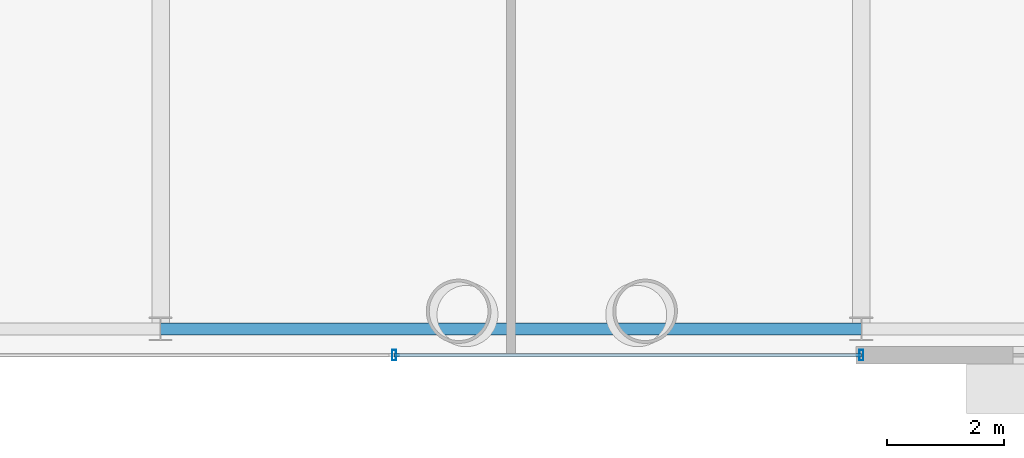
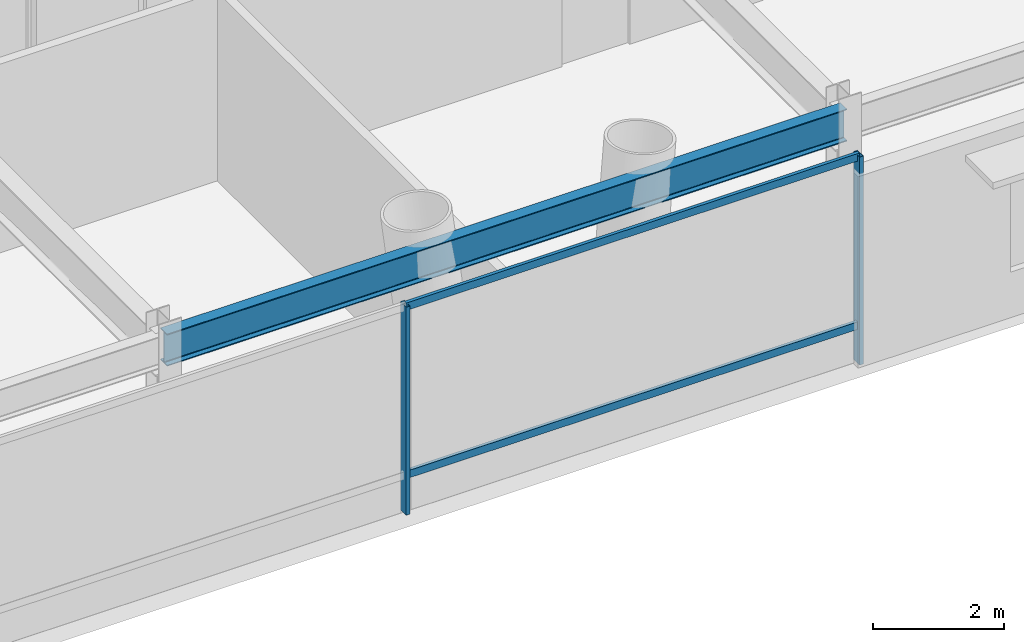
# One storey, part 8 of 26: 4 members, 1 beam, 1 element without a shape of its own.
"""IFC4 building model written with IfcOpenShell, lengths in metres."""

from ifc_helpers import new_model, si_unit, direction, frame, origin, origin_2d, place, context, subcontext, project, spatial, hollow_rectangle, i_section, extrude, material, layer, layer_set, material_profile, profile_set, type_object, element, aggregate, save


model = new_model("IFC4")

# Units and contexts
model_context = context("Model", 3, precision=1e-05, world=origin(), true_north=direction((0.0, 1.0)))
body_context = subcontext(model_context, "Body", "Model", "MODEL_VIEW")
ifc_project = project(units=[si_unit("LENGTHUNIT", "METRE"), si_unit("AREAUNIT", "SQUARE_METRE"), si_unit("VOLUMEUNIT", "CUBIC_METRE"), si_unit("PLANEANGLEUNIT", "RADIAN"), si_unit("MASSUNIT", "GRAM", prefix="KILO")], contexts=[model_context])

# Site, building, storey
site_placement = place(None, origin())
site = spatial("IfcSite", under=ifc_project, at=site_placement, CompositionType="ELEMENT")
building_placement = place(site_placement, origin())
building = spatial("IfcBuilding", under=site, at=building_placement, Name="Veldorina Hangang Commons", CompositionType="ELEMENT")
storey_placement = place(building_placement, frame((0.0, 0.0, 5.199951171875)))
storey = spatial("IfcBuildingStorey", under=building, at=storey_placement, Name="L01", CompositionType="ELEMENT", Elevation=5.199951171875)

# Beam
ifc_material_1 = material(Name="Steel SM420-TMC", Category="steel")
ifc_material_profile_1 = material_profile(ifc_material_1, i_section(OverallWidth=0.199951171875, OverallDepth=0.60009765625, WebThickness=0.010986328125, FlangeThickness=0.01708984375, FilletRadius=0.01806640625, at=origin_2d()), Name="H-600x200x11x17")
ifc_profile_set_1 = profile_set([ifc_material_profile_1], Name="Steel SM420-TMC")
beam_type = type_object("IfcBeamType", Name="BM-SPN600", PredefinedType="SPANDREL", material=ifc_profile_set_1)
beam_placement = place(storey_placement, frame((32.0, 3.449951171875, 4.199951171875), z_axis=(1.0, 0.0, 0.0), x_axis=(0.0, 1.0, 0.0)))
element("IfcBeam", 1, at=beam_placement, inside=storey, type_object=beam_type, Name="L01 south spandrel beam 3", PredefinedType="SPANDREL", context=body_context, shape_type="SweptSolid", body=[
    extrude(i_section(OverallWidth=0.199951171875, OverallDepth=0.60009765625, WebThickness=0.010986328125, FlangeThickness=0.01708984375, FilletRadius=0.01806640625, at=origin_2d()), origin(), (0.0, 0.0, 1.0), 12.0),
])

# Curtain wall, members
ifc_material_2 = material(Name="Glass Low-E Triple IGU", Category="glass")
ifc_layer = layer(ifc_material_2, 0.179931640625)
ifc_layer_set = layer_set([ifc_layer], Name="Glass Low-E Triple IGU")
curtain_wall_type = type_object("IfcCurtainWallType", Name="CW-SYS-POD", PredefinedType="NOTDEFINED", material=ifc_layer_set)
curtain_wall_placement = place(storey_placement, origin())
curtain_wall = element("IfcCurtainWall", 2, at=curtain_wall_placement, inside=storey, type_object=curtain_wall_type, Name="L01 unitised curtain wall CW-L01-S-CTR", PredefinedType="NOTDEFINED")
ifc_material_3 = material(Name="Aluminium Anodized AA6063-T6", Category="aluminium")
ifc_material_profile_2 = material_profile(ifc_material_3, hollow_rectangle(XDim=0.070068359375, YDim=0.179931640625, WallThickness=0.00390625, at=origin_2d()), Name="ALU-RHS-180x70x4")
ifc_profile_set_2 = profile_set([ifc_material_profile_2], Name="Aluminium Anodized AA6063-T6")
member_type_1 = type_object("IfcMemberType", Name="CW-MUL-180", PredefinedType="MULLION", material=ifc_profile_set_2)
member_1_placement = place(storey_placement, frame((36.0, 3.0, 0.0), z_axis=(0.0, 0.0, 1.0), x_axis=(1.0, 0.0, 0.0)))
member_1 = element("IfcMember", 3, at=member_1_placement, type_object=member_type_1, Name="CW-L01-S-CTR vertical mullion 2", PredefinedType="MULLION", context=body_context, shape_type="SweptSolid", body=[
    extrude(hollow_rectangle(XDim=0.070068359375, YDim=0.179931640625, WallThickness=0.00390625, at=origin_2d()), origin(), (0.0, 0.0, 1.0), 3.880126953125),
])
member_2_placement = place(storey_placement, frame((44.0, 3.0, 0.0), z_axis=(0.0, 0.0, 1.0), x_axis=(-1.0, 0.0, 0.0)))
member_2 = element("IfcMember", 4, at=member_2_placement, type_object=member_type_1, Name="CW-L01-S-CTR vertical mullion 3", PredefinedType="MULLION", context=body_context, shape_type="SweptSolid", body=[
    extrude(hollow_rectangle(XDim=0.070068359375, YDim=0.179931640625, WallThickness=0.00390625, at=origin_2d()), origin(), (0.0, 0.0, 1.0), 3.880126953125),
])
ifc_material_profile_3 = material_profile(ifc_material_3, hollow_rectangle(XDim=0.06005859375, YDim=0.139892578125, WallThickness=0.00341796875, at=origin_2d()), Name="ALU-RHS-140x60x3.5")
ifc_profile_set_3 = profile_set([ifc_material_profile_3], Name="Aluminium Anodized AA6063-T6")
member_type_2 = type_object("IfcMemberType", Name="CW-TRN-140", PredefinedType="USERDEFINED", material=ifc_profile_set_3)
member_3_placement = place(storey_placement, frame((36.0, 3.0, 0.699951171875), z_axis=(1.0, 0.0, 0.0), x_axis=(0.0, 1.0, 0.0)))
member_3 = element("IfcMember", 5, at=member_3_placement, type_object=member_type_2, Name="CW-L01-S-CTR facet 3 transom 1", ObjectType="TRANSOM", PredefinedType="USERDEFINED", context=body_context, shape_type="SweptSolid", body=[
    extrude(hollow_rectangle(XDim=0.06005859375, YDim=0.139892578125, WallThickness=0.00341796875, at=origin_2d()), origin(), (0.0, 0.0, 1.0), 8.0),
])
member_4_placement = place(storey_placement, frame((36.0, 3.0, 3.840087890625), z_axis=(1.0, 0.0, 0.0), x_axis=(0.0, 1.0, 0.0)))
member_4 = element("IfcMember", 6, at=member_4_placement, type_object=member_type_2, Name="CW-L01-S-CTR facet 3 transom 2", ObjectType="TRANSOM", PredefinedType="USERDEFINED", context=body_context, shape_type="SweptSolid", body=[
    extrude(hollow_rectangle(XDim=0.06005859375, YDim=0.139892578125, WallThickness=0.00341796875, at=origin_2d()), origin(), (0.0, 0.0, 1.0), 8.0),
])
aggregate(curtain_wall, [member_1, member_2, member_3, member_4])

save(model, "model.ifc")
